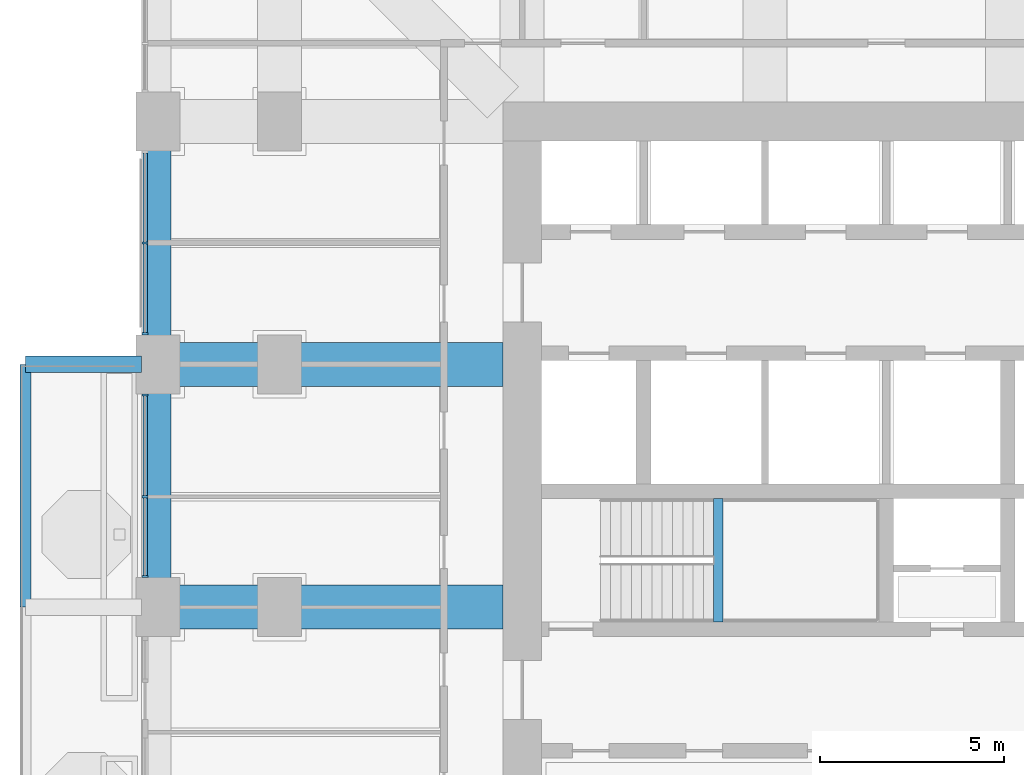
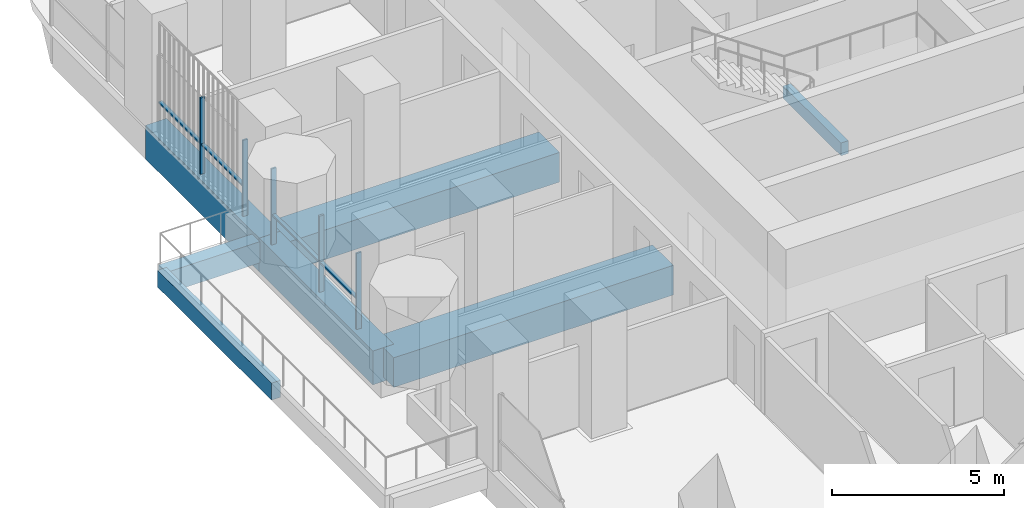
# One storey, part 4 of 19: 9 members, 7 beams, 2 elements without a shape of their own.
"""IFC4 building model written with IfcOpenShell, lengths in metres."""

from ifc_helpers import new_model, si_unit, direction, frame, origin, origin_2d, place, context, subcontext, project, spatial, rectangle, extrude, material, material_profile, profile_set, type_object, element, aggregate, save


model = new_model("IFC4")

# Units and contexts
model_context = context("Model", 3, precision=1e-05, world=origin(), true_north=direction((0.0, 1.0)))
body_context = subcontext(model_context, "Body", "Model", "MODEL_VIEW")
ifc_project = project(units=[si_unit("LENGTHUNIT", "METRE"), si_unit("AREAUNIT", "SQUARE_METRE"), si_unit("VOLUMEUNIT", "CUBIC_METRE"), si_unit("PLANEANGLEUNIT", "RADIAN"), si_unit("MASSUNIT", "GRAM", prefix="KILO")], contexts=[model_context])

# Site, building, storey
site_placement = place(None, origin())
site = spatial("IfcSite", under=ifc_project, at=site_placement, CompositionType="ELEMENT")
building_placement = place(site_placement, origin())
building = spatial("IfcBuilding", under=site, at=building_placement, Name="Cobogo Forest Laboratory Tower", CompositionType="ELEMENT")
storey_placement = place(building_placement, frame((0.0, 0.0, 159.89990234375)))
storey = spatial("IfcBuildingStorey", under=building, at=storey_placement, Name="L36", CompositionType="ELEMENT", Elevation=159.89990234375)

# Beams
ifc_material_1 = material(Name="Concrete HA-40 (C40/50)", Category="concrete")
ifc_material_profile_1 = material_profile(ifc_material_1, rectangle(XDim=0.449951171875, YDim=0.75, at=origin_2d()), Name="RC 450x750")
ifc_profile_set_1 = profile_set([ifc_material_profile_1], Name="Concrete HA-40 (C40/50)")
beam_type_1 = type_object("IfcBeamType", Name="Balcony cantilever beam 450x750", PredefinedType="BEAM", material=ifc_profile_set_1)
beam_1_placement = place(storey_placement, frame((2.85009765625, 26.39990234375, -0.625), z_axis=(-1.0, 0.0, 0.0), x_axis=(0.0, -1.0, 0.0)))
element("IfcBeam", 1, at=beam_1_placement, inside=storey, type_object=beam_type_1, Name="CB1 BAL-W1-C3 L36", PredefinedType="BEAM", context=body_context, shape_type="SweptSolid", body=[
    extrude(rectangle(XDim=0.449951171875, YDim=0.75, at=origin_2d()), origin(), (0.0, 0.0, 1.0), 3.150146484375),
])
ifc_material_profile_2 = material_profile(ifc_material_1, rectangle(XDim=0.300048828125, YDim=0.60009765625, at=origin_2d()), Name="RC 300x600")
ifc_profile_set_2 = profile_set([ifc_material_profile_2], Name="Concrete HA-40 (C40/50)")
beam_type_2 = type_object("IfcBeamType", Name="Balcony edge beam 300x600", PredefinedType="BEAM", material=ifc_profile_set_2)
beam_2_placement = place(storey_placement, frame((-0.300048828125, 19.800048828125, -0.5498046875), z_axis=(0.0, 1.0, 0.0), x_axis=(-1.0, 0.0, 0.0)))
element("IfcBeam", 2, at=beam_2_placement, inside=storey, type_object=beam_type_2, Name="BB1 BAL-W1-T2 L36", PredefinedType="BEAM", context=body_context, shape_type="SweptSolid", body=[
    extrude(rectangle(XDim=0.300048828125, YDim=0.60009765625, at=origin_2d()), origin(), (0.0, 0.0, 1.0), 6.599853515625),
])
ifc_material_profile_3 = material_profile(ifc_material_1, rectangle(XDim=0.25, YDim=0.449951171875, at=origin_2d()), Name="RC 250x450")
ifc_profile_set_3 = profile_set([ifc_material_profile_3], Name="Concrete HA-40 (C40/50)")
beam_type_3 = type_object("IfcBeamType", Name="LB1 landing beam 250x450", PredefinedType="BEAM", material=ifc_profile_set_3)
beam_3_placement = place(storey_placement, frame((18.530029296875, 19.39990234375, 1.675048828125), z_axis=(0.0, 1.0, 0.0), x_axis=(-1.0, 0.0, 0.0)))
element("IfcBeam", 3, at=beam_3_placement, inside=storey, type_object=beam_type_3, Name="Landing beam ST1 L36", PredefinedType="BEAM", context=body_context, shape_type="SweptSolid", body=[
    extrude(rectangle(XDim=0.25, YDim=0.449951171875, at=origin_2d()), origin(), (0.0, 0.0, 1.0), 3.35009765625),
])
ifc_material_profile_4 = material_profile(ifc_material_1, rectangle(XDim=1.199951171875, YDim=1.050048828125, at=origin_2d()), Name="RC 1200x1050")
ifc_profile_set_4 = profile_set([ifc_material_profile_4], Name="Concrete HA-40 (C40/50)")
beam_type_4 = type_object("IfcBeamType", Name="Laboratory floor wide beam 1200x1050", PredefinedType="BEAM", material=ifc_profile_set_4)
for number, where, z_axis, x_axis, name in (
    (4, (12.675048828125, 19.800048828125, -0.824951171875), (-1.0, 0.0, 0.0), (0.0, -1.0, 0.0), "RB1 R-D-W L36"),
    (5, (12.675048828125, 26.39990234375, -0.824951171875), (-1.0, 0.0, 0.0), (0.0, -1.0, 0.0), "RB1 R-E-W L36"),
):
    element("IfcBeam", number, at=place(storey_placement, frame(where, z_axis=z_axis, x_axis=x_axis)), inside=storey, type_object=beam_type_4, Name=name, PredefinedType="BEAM", context=body_context, shape_type="SweptSolid", body=[
        extrude(rectangle(XDim=1.199951171875, YDim=1.050048828125, at=origin_2d()), origin(), (0.0, 0.0, 1.0), 9.375),
    ])

# Curtain wall, members
ifc_material_2 = material(Name="Aluminium curtain wall", Category="aluminium")
curtain_wall_type = type_object("IfcCurtainWallType", Name="CW-2 unitised curtain wall, solar control glazing, laboratory floors zones C and D", PredefinedType="USERDEFINED", material=ifc_material_2)
curtain_wall_1_placement = place(storey_placement, origin())
curtain_wall_1 = element("IfcCurtainWall", 6, at=curtain_wall_1_placement, inside=storey, type_object=curtain_wall_type, Name="Curtain wall 25 L36", ObjectType="UNITISED CURTAIN WALL", PredefinedType="USERDEFINED")
ifc_material_3 = material(Name="Aluminium mullion", Category="aluminium")
ifc_material_profile_5 = material_profile(ifc_material_3, rectangle(XDim=0.06005859375, YDim=0.159912109375, at=origin_2d()), Name="AL 60x160")
ifc_profile_set_5 = profile_set([ifc_material_profile_5], Name="Aluminium mullion")
member_type_1 = type_object("IfcMemberType", Name="MU-1 aluminium mullion 60x160", PredefinedType="MULLION", material=ifc_profile_set_5)
member_1_placement = place(storey_placement, frame((2.949951171875, 29.699951171875, 0.0), z_axis=(0.0, 0.0, 1.0), x_axis=(0.0, -1.0, 0.0)))
member_1 = element("IfcMember", 7, at=member_1_placement, type_object=member_type_1, Name="CW-2 mullion 2", PredefinedType="MULLION", context=body_context, shape_type="SweptSolid", body=[
    extrude(rectangle(XDim=0.06005859375, YDim=0.159912109375, at=origin_2d()), origin(), (0.0, 0.0, 1.0), 2.7001953125),
])
member_2_placement = place(storey_placement, frame((2.949951171875, 27.22998046875, 0.0), z_axis=(0.0, 0.0, 1.0), x_axis=(0.0, -1.0, 0.0)))
member_2 = element("IfcMember", 8, at=member_2_placement, type_object=member_type_1, Name="CW-2 mullion 3", PredefinedType="MULLION", context=body_context, shape_type="SweptSolid", body=[
    extrude(rectangle(XDim=0.06005859375, YDim=0.159912109375, at=origin_2d()), origin(), (0.0, 0.0, 1.0), 2.7001953125),
])

curtain_wall_2_placement = place(storey_placement, origin())
curtain_wall_2 = element("IfcCurtainWall", 9, at=curtain_wall_2_placement, inside=storey, type_object=curtain_wall_type, Name="Curtain wall 26 L36", ObjectType="UNITISED CURTAIN WALL", PredefinedType="USERDEFINED")
member_3_placement = place(storey_placement, frame((2.949951171875, 25.570068359375, 0.0), z_axis=(0.0, 0.0, 1.0), x_axis=(0.0, -1.0, 0.0)))
member_3 = element("IfcMember", 10, at=member_3_placement, type_object=member_type_1, Name="CW-2 mullion 1", PredefinedType="MULLION", context=body_context, shape_type="SweptSolid", body=[
    extrude(rectangle(XDim=0.06005859375, YDim=0.159912109375, at=origin_2d()), origin(), (0.0, 0.0, 1.0), 2.7001953125),
])
member_4_placement = place(storey_placement, frame((2.949951171875, 22.800048828125, 0.0), z_axis=(0.0, 0.0, 1.0), x_axis=(0.0, -1.0, 0.0)))
member_4 = element("IfcMember", 11, at=member_4_placement, type_object=member_type_1, Name="CW-2 mullion 2", PredefinedType="MULLION", context=body_context, shape_type="SweptSolid", body=[
    extrude(rectangle(XDim=0.06005859375, YDim=0.159912109375, at=origin_2d()), origin(), (0.0, 0.0, 1.0), 2.7001953125),
])
member_5_placement = place(storey_placement, frame((2.949951171875, 20.6298828125, 0.0), z_axis=(0.0, 0.0, 1.0), x_axis=(0.0, -1.0, 0.0)))
member_5 = element("IfcMember", 12, at=member_5_placement, type_object=member_type_1, Name="CW-2 mullion 3", PredefinedType="MULLION", context=body_context, shape_type="SweptSolid", body=[
    extrude(rectangle(XDim=0.06005859375, YDim=0.159912109375, at=origin_2d()), origin(), (0.0, 0.0, 1.0), 2.7001953125),
])

# Beams
ifc_material_profile_6 = material_profile(ifc_material_1, rectangle(XDim=0.699951171875, YDim=1.199951171875, at=origin_2d()), Name="RC 700x1200")
ifc_profile_set_6 = profile_set([ifc_material_profile_6], Name="Concrete HA-40 (C40/50)")
beam_type_5 = type_object("IfcBeamType", Name="Perimeter edge beam 700x1200", PredefinedType="BEAM", material=ifc_profile_set_6)
beam_4_placement = place(storey_placement, frame((3.300048828125, 19.800048828125, -0.89990234375), z_axis=(0.0, 1.0, 0.0), x_axis=(-1.0, 0.0, 0.0)))
element("IfcBeam", 13, at=beam_4_placement, inside=storey, type_object=beam_type_5, Name="EB1 E-W2 L36", PredefinedType="BEAM", context=body_context, shape_type="SweptSolid", body=[
    extrude(rectangle(XDim=0.699951171875, YDim=1.199951171875, at=origin_2d()), origin(), (0.0, 0.0, 1.0), 6.599853515625),
])
beam_5_placement = place(storey_placement, frame((3.300048828125, 26.39990234375, -0.89990234375), z_axis=(0.0, 1.0, 0.0), x_axis=(-1.0, 0.0, 0.0)))
element("IfcBeam", 14, at=beam_5_placement, inside=storey, type_object=beam_type_5, Name="EB1 E-W3 L36", PredefinedType="BEAM", context=body_context, shape_type="SweptSolid", body=[
    extrude(rectangle(XDim=0.699951171875, YDim=1.199951171875, at=origin_2d()), origin(), (0.0, 0.0, 1.0), 6.60009765625),
])

# Member
ifc_material_4 = material(Name="Aluminium transom", Category="aluminium")
ifc_material_profile_7 = material_profile(ifc_material_4, rectangle(XDim=0.1201171875, YDim=0.06005859375, at=origin_2d()), Name="AL 60x120")
ifc_profile_set_7 = profile_set([ifc_material_profile_7], Name="Aluminium transom")
member_type_2 = type_object("IfcMemberType", Name="TR-1 aluminium transom 60x120", PredefinedType="USERDEFINED", material=ifc_profile_set_7)
member_6_placement = place(storey_placement, frame((2.949951171875, 32.139892578125, 1.050048828125), z_axis=(0.0, -1.0, 0.0), x_axis=(1.0, 0.0, 0.0)))
member_6 = element("IfcMember", 15, at=member_6_placement, type_object=member_type_2, Name="CW-2 transom 1.1", ObjectType="TRANSOM", PredefinedType="USERDEFINED", context=body_context, shape_type="SweptSolid", body=[
    extrude(rectangle(XDim=0.1201171875, YDim=0.06005859375, at=origin_2d()), origin(), (0.0, 0.0, 1.0), 2.409912109375),
])

member_7_placement = place(storey_placement, frame((2.949951171875, 29.669921875, 1.050048828125), z_axis=(0.0, -1.0, 0.0), x_axis=(1.0, 0.0, 0.0)))
member_7 = element("IfcMember", 16, at=member_7_placement, type_object=member_type_2, Name="CW-2 transom 2.1", ObjectType="TRANSOM", PredefinedType="USERDEFINED", context=body_context, shape_type="SweptSolid", body=[
    extrude(rectangle(XDim=0.1201171875, YDim=0.06005859375, at=origin_2d()), origin(), (0.0, 0.0, 1.0), 2.409912109375),
])

aggregate(curtain_wall_1, [member_1, member_2, member_6, member_7])

member_8_placement = place(storey_placement, frame((2.949951171875, 25.5400390625, 1.050048828125), z_axis=(0.0, -1.0, 0.0), x_axis=(1.0, 0.0, 0.0)))
member_8 = element("IfcMember", 17, at=member_8_placement, type_object=member_type_2, Name="CW-2 transom 1.1", ObjectType="TRANSOM", PredefinedType="USERDEFINED", context=body_context, shape_type="SweptSolid", body=[
    extrude(rectangle(XDim=0.1201171875, YDim=0.06005859375, at=origin_2d()), origin(), (0.0, 0.0, 1.0), 2.7099609375),
])

member_9_placement = place(storey_placement, frame((2.949951171875, 22.77001953125, 1.050048828125), z_axis=(0.0, -1.0, 0.0), x_axis=(1.0, 0.0, 0.0)))
member_9 = element("IfcMember", 18, at=member_9_placement, type_object=member_type_2, Name="CW-2 transom 2.1", ObjectType="TRANSOM", PredefinedType="USERDEFINED", context=body_context, shape_type="SweptSolid", body=[
    extrude(rectangle(XDim=0.1201171875, YDim=0.06005859375, at=origin_2d()), origin(), (0.0, 0.0, 1.0), 2.110107421875),
])

aggregate(curtain_wall_2, [member_3, member_4, member_5, member_8, member_9])

save(model, "model.ifc")
